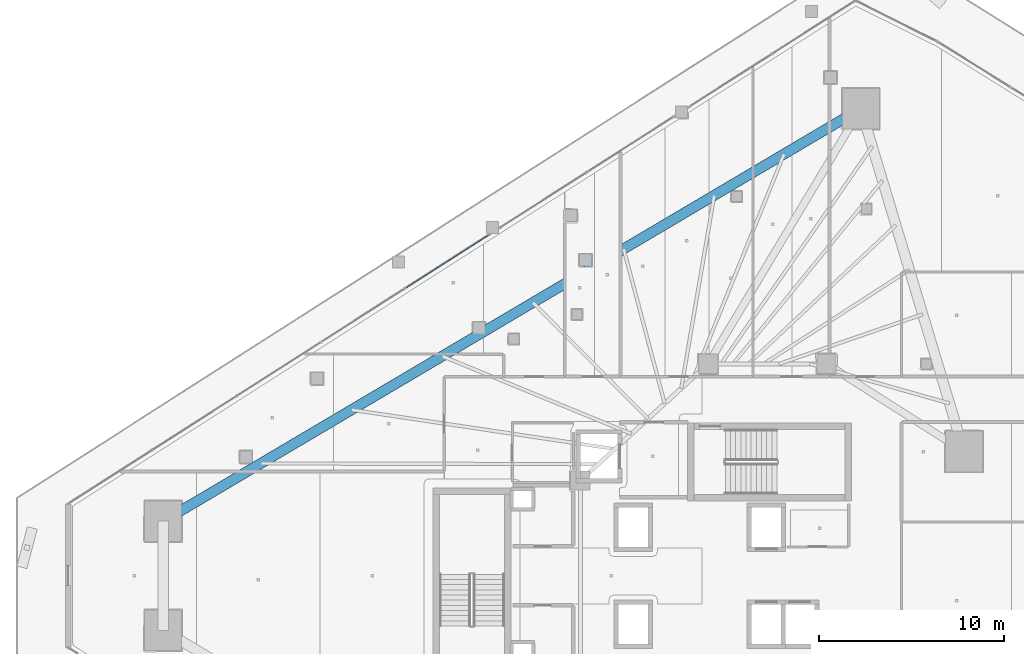
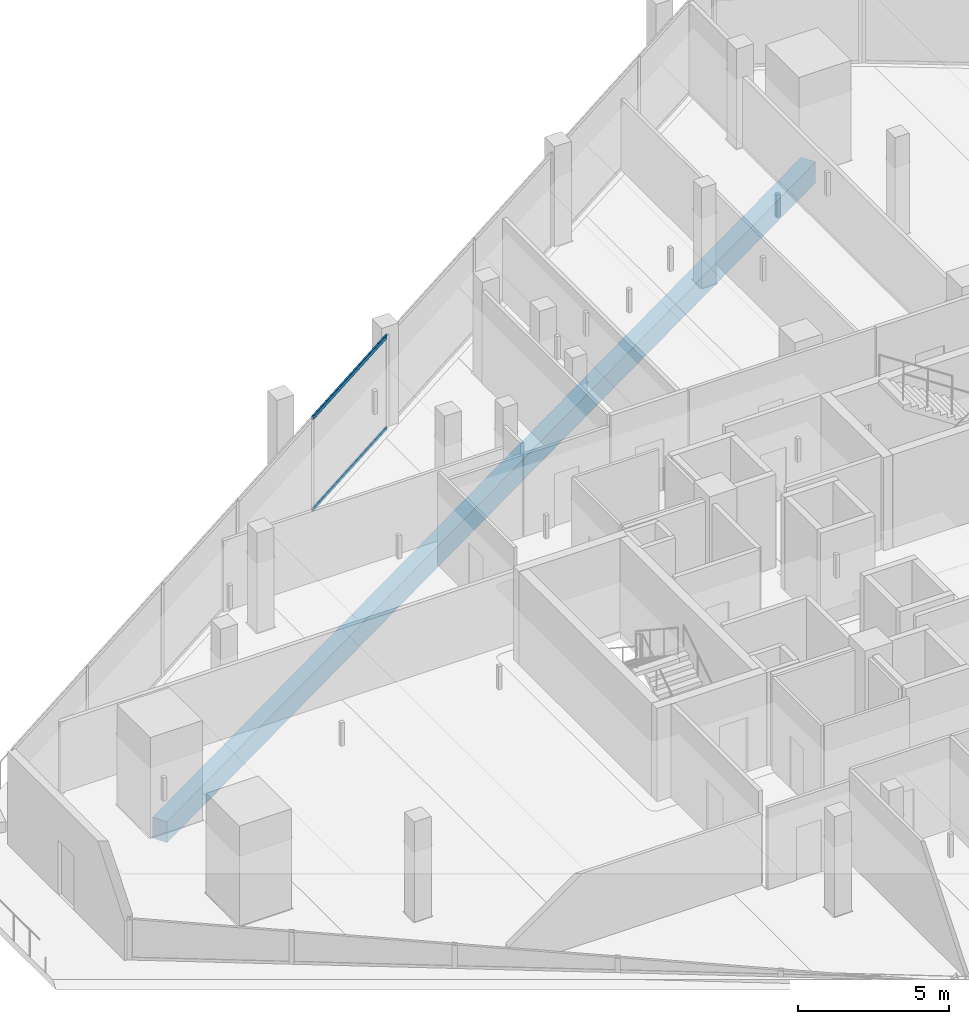
# One storey, part 17 of 44: 2 members, 1 beam, 1 element without a shape of its own.
"""IFC4 building model written with IfcOpenShell, lengths in metres."""

from ifc_helpers import new_model, si_unit, direction, frame, origin, origin_2d, place, context, subcontext, project, spatial, rectangle, hollow_rectangle, extrude, material, layer, layer_set, material_profile, profile_set, type_object, element, aggregate, save


model = new_model("IFC4")

# Units and contexts
model_context = context("Model", 3, precision=1e-05, world=origin(), true_north=direction((0.0, 1.0)))
body_context = subcontext(model_context, "Body", "Model", "MODEL_VIEW")
ifc_project = project(units=[si_unit("LENGTHUNIT", "METRE"), si_unit("AREAUNIT", "SQUARE_METRE"), si_unit("VOLUMEUNIT", "CUBIC_METRE"), si_unit("PLANEANGLEUNIT", "RADIAN"), si_unit("MASSUNIT", "GRAM", prefix="KILO")], contexts=[model_context])

# Site, building, storey
site_placement = place(None, origin())
site = spatial("IfcSite", under=ifc_project, at=site_placement, CompositionType="ELEMENT")
building_placement = place(site_placement, origin())
building = spatial("IfcBuilding", under=site, at=building_placement, Name="Qorvath Tower", CompositionType="ELEMENT")
storey_placement = place(building_placement, frame((0.0, 0.0, 113.85009765625)))
storey = spatial("IfcBuildingStorey", under=building, at=storey_placement, Name="L25", CompositionType="ELEMENT", Elevation=113.85009765625)

# Beam
ifc_material_1 = material(Name="Concrete C50/60", Category="concrete")
ifc_material_profile_1 = material_profile(ifc_material_1, rectangle(XDim=0.550048828125, YDim=0.85009765625, at=origin_2d()), Name="RCB 850x550")
ifc_profile_set_1 = profile_set([ifc_material_profile_1], Name="Concrete C50/60")
beam_type = type_object("IfcBeamType", Name="BM-RCB2", PredefinedType="SPANDREL", material=ifc_profile_set_1)
beam_placement = place(storey_placement, frame((-15.34423828125, 25.24609375, -0.705078125), z_axis=(-0.860775142889, -0.508985415689, 0.0), x_axis=(0.508985415689, -0.860775142889, 0.0)))
element("IfcBeam", 1, at=beam_placement, inside=storey, type_object=beam_type, Name="Perimeter Loggia Frame Beam MC6-MC1 L25", PredefinedType="SPANDREL", context=body_context, shape_type="SweptSolid", body=[
    extrude(rectangle(XDim=0.550048828125, YDim=0.85009765625, at=origin_2d()), origin(), (0.0, 0.0, 1.0), 43.8037109375),
])

# Curtain wall, members
ifc_material_2 = material(Name="Anodised aluminium and triple low-E glass", Category="aluminium")
ifc_layer = layer(ifc_material_2, 0.179931640625)
ifc_layer_set = layer_set([ifc_layer], Name="CW-SYS-2")
curtain_wall_type = type_object("IfcCurtainWallType", Name="CW-SYS-2", PredefinedType="NOTDEFINED", material=ifc_layer_set)
curtain_wall_placement = place(storey_placement, origin())
curtain_wall = element("IfcCurtainWall", 2, at=curtain_wall_placement, inside=storey, type_object=curtain_wall_type, Name="Curtain Wall CW-2 CW-T-L25-16.3", PredefinedType="NOTDEFINED")
ifc_material_3 = material(Name="Anodised aluminium 6063-T6", Category="aluminium")
ifc_material_profile_2 = material_profile(ifc_material_3, hollow_rectangle(XDim=0.06494140625, YDim=0.159912109375, WallThickness=0.00341796875, InnerFilletRadius=0.00341796875, OuterFilletRadius=0.007080078125, at=origin_2d()), Name="CWT 160x65")
ifc_profile_set_2 = profile_set([ifc_material_profile_2], Name="Anodised aluminium 6063-T6")
member_type = type_object("IfcMemberType", Name="CWT-160", PredefinedType="USERDEFINED", material=ifc_profile_set_2)
member_1_placement = place(storey_placement, frame((-35.441650390625, 18.42431640625, 0.032470703125), z_axis=(-0.842600735632, -0.538538763984, 0.0), x_axis=(0.538538763984, -0.842600735632, 0.0)))
member_1 = element("IfcMember", 3, at=member_1_placement, type_object=member_type, Name="CW-2 transom 1.1", ObjectType="TRANSOM", PredefinedType="USERDEFINED", context=body_context, shape_type="SweptSolid", body=[
    extrude(hollow_rectangle(XDim=0.06494140625, YDim=0.159912109375, WallThickness=0.00341796875, InnerFilletRadius=0.00341796875, OuterFilletRadius=0.007080078125, at=origin_2d()), origin(), (0.0, 0.0, 1.0), 5.3154296875),
])
member_2_placement = place(storey_placement, frame((-35.441650390625, 18.42431640625, 3.737548828125), z_axis=(-0.842600735632, -0.538538763984, 0.0), x_axis=(0.538538763984, -0.842600735632, 0.0)))
member_2 = element("IfcMember", 4, at=member_2_placement, type_object=member_type, Name="CW-2 transom 1.2", ObjectType="TRANSOM", PredefinedType="USERDEFINED", context=body_context, shape_type="SweptSolid", body=[
    extrude(hollow_rectangle(XDim=0.06494140625, YDim=0.159912109375, WallThickness=0.00341796875, InnerFilletRadius=0.00341796875, OuterFilletRadius=0.007080078125, at=origin_2d()), origin(), (0.0, 0.0, 1.0), 5.3154296875),
])
aggregate(curtain_wall, [member_1, member_2])

save(model, "model.ifc")
